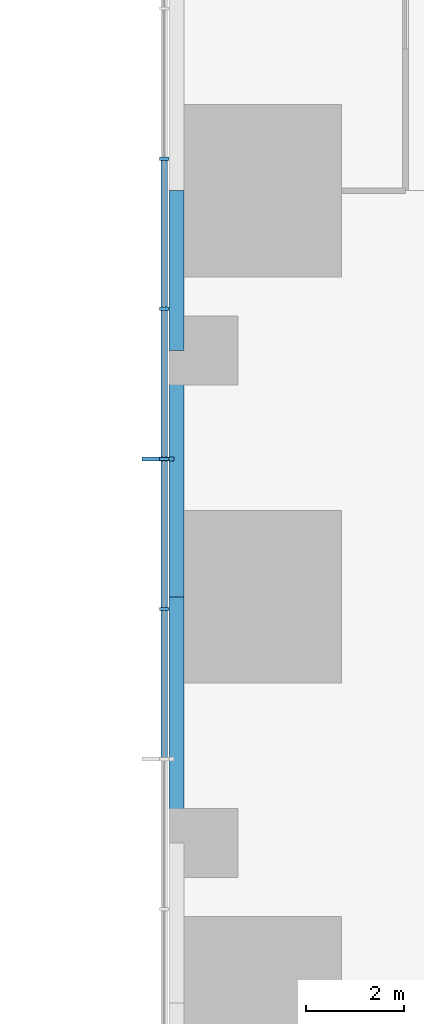
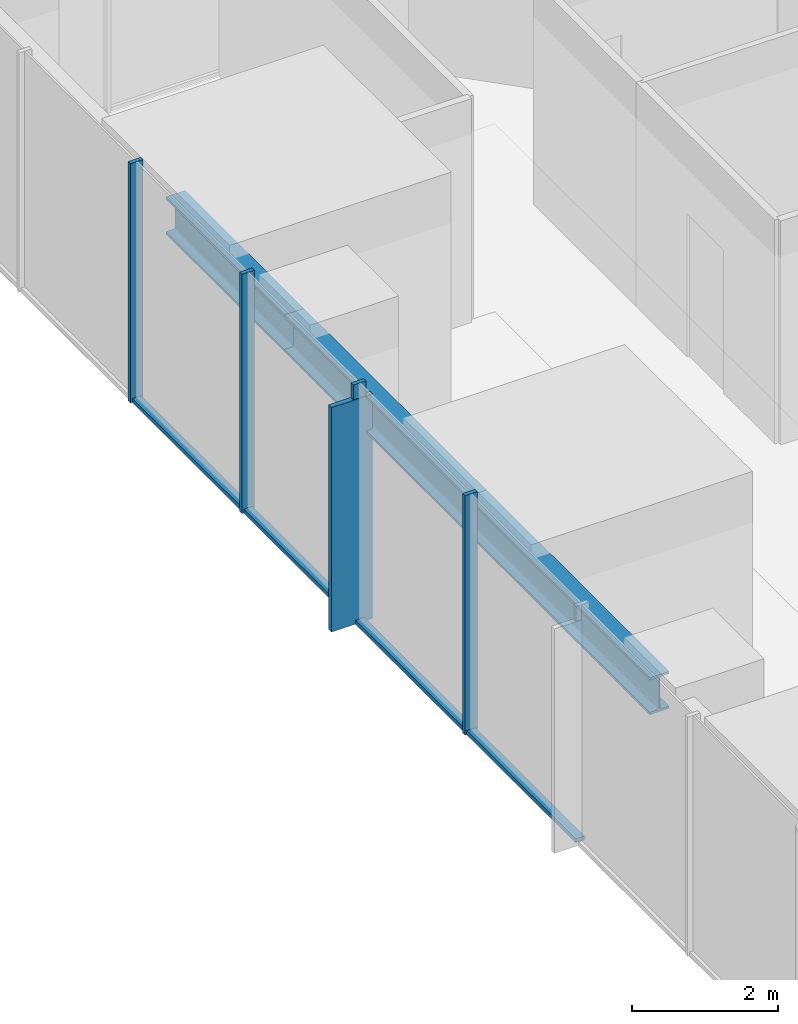
# One storey, part 3 of 17: 9 members, 3 beams, 1 element without a shape of its own.
"""IFC4 building model written with IfcOpenShell, lengths in metres."""

from ifc_helpers import new_model, si_unit, direction, frame, origin, origin_2d, place, context, subcontext, project, spatial, rectangle, i_section, extrude, material, material_profile, profile_set, type_object, element, aggregate, save


model = new_model("IFC4")

# Units and contexts
model_context = context("Model", 3, precision=1e-05, world=origin(), true_north=direction((0.0, 1.0)))
body_context = subcontext(model_context, "Body", "Model", "MODEL_VIEW")
ifc_project = project(units=[si_unit("LENGTHUNIT", "METRE"), si_unit("AREAUNIT", "SQUARE_METRE"), si_unit("VOLUMEUNIT", "CUBIC_METRE"), si_unit("PLANEANGLEUNIT", "RADIAN"), si_unit("MASSUNIT", "GRAM", prefix="KILO")], contexts=[model_context])

# Site, building, storey
site_placement = place(None, origin())
site = spatial("IfcSite", under=ifc_project, at=site_placement, CompositionType="ELEMENT")
building_placement = place(site_placement, origin())
building = spatial("IfcBuilding", under=site, at=building_placement, Name="Svetlomir Tower", CompositionType="ELEMENT")
storey_placement = place(building_placement, frame((0.0, 0.0, 70.5)))
storey = spatial("IfcBuildingStorey", under=building, at=storey_placement, Name="L16", CompositionType="ELEMENT", Elevation=70.5)

# Curtain wall, members
ifc_material_1 = material(Name="Bronze anodised aluminium curtain wall", Category="aluminium")
curtain_wall_type = type_object("IfcCurtainWallType", Name="CURTAIN WALL CW1 TOWER OFFICE", PredefinedType="NOTDEFINED", material=ifc_material_1)
curtain_wall_placement = place(storey_placement, origin())
curtain_wall = element("IfcCurtainWall", 1, at=curtain_wall_placement, inside=storey, type_object=curtain_wall_type, Name="Curtain wall CW1 L16", PredefinedType="NOTDEFINED")
ifc_material_2 = material(Name="Bronze anodised aluminium", Category="aluminium")
ifc_material_profile_1 = material_profile(ifc_material_2, rectangle(XDim=0.080078125, YDim=0.64990234375, at=origin_2d()), Name="FIN 80x650")
ifc_profile_set_1 = profile_set([ifc_material_profile_1], Name="Bronze anodised aluminium 6063-T6")
member_type_1 = type_object("IfcMemberType", Name="BRONZE FIN 80x650", PredefinedType="USERDEFINED", material=ifc_profile_set_1)
member_1_placement = place(storey_placement, frame((-0.22509765625, 23.800048828125, 0.0), z_axis=(0.0, 0.0, 1.0), x_axis=(0.0, 1.0, 0.0)))
member_1 = element("IfcMember", 2, at=member_1_placement, type_object=member_type_1, Name="Bronze fin L16", ObjectType="FIN", PredefinedType="USERDEFINED", context=body_context, shape_type="SweptSolid", body=[
    extrude(rectangle(XDim=0.080078125, YDim=0.64990234375, at=origin_2d()), origin(), (0.0, 0.0, 1.0), 3.75),
])
ifc_material_3 = material(Name="Bronze anodised aluminium", Category="aluminium")
ifc_material_profile_2 = material_profile(ifc_material_3, rectangle(XDim=0.06494140625, YDim=0.199951171875, at=origin_2d()), Name="AL 65x200")
ifc_profile_set_2 = profile_set([ifc_material_profile_2], Name="Bronze anodised aluminium 6063-T6")
member_type_2 = type_object("IfcMemberType", Name="CW1 MULLION 65x200", PredefinedType="MULLION", material=ifc_profile_set_2)
member_2_placement = place(storey_placement, frame((-0.10009765625, 29.89990234375, 0.0), z_axis=(0.0, 0.0, 1.0), x_axis=(0.0, -1.0, 0.0)))
member_2 = element("IfcMember", 3, at=member_2_placement, type_object=member_type_2, Name="CW1 mullion 3", PredefinedType="MULLION", context=body_context, shape_type="SweptSolid", body=[
    extrude(rectangle(XDim=0.06494140625, YDim=0.199951171875, at=origin_2d()), origin(), (0.0, 0.0, 1.0), 4.0),
])
member_3_placement = place(storey_placement, frame((-0.10009765625, 26.85009765625, 0.0), z_axis=(0.0, 0.0, 1.0), x_axis=(0.0, -1.0, 0.0)))
member_3 = element("IfcMember", 4, at=member_3_placement, type_object=member_type_2, Name="CW1 mullion 4", PredefinedType="MULLION", context=body_context, shape_type="SweptSolid", body=[
    extrude(rectangle(XDim=0.06494140625, YDim=0.199951171875, at=origin_2d()), origin(), (0.0, 0.0, 1.0), 4.0),
])
member_4_placement = place(storey_placement, frame((-0.10009765625, 23.800048828125, 0.0), z_axis=(0.0, 0.0, 1.0), x_axis=(0.0, -1.0, 0.0)))
member_4 = element("IfcMember", 5, at=member_4_placement, type_object=member_type_2, Name="CW1 mullion 5", PredefinedType="MULLION", context=body_context, shape_type="SweptSolid", body=[
    extrude(rectangle(XDim=0.06494140625, YDim=0.199951171875, at=origin_2d()), origin(), (0.0, 0.0, 1.0), 4.0),
])
member_5_placement = place(storey_placement, frame((-0.10009765625, 20.75, 0.0), z_axis=(0.0, 0.0, 1.0), x_axis=(0.0, -1.0, 0.0)))
member_5 = element("IfcMember", 6, at=member_5_placement, type_object=member_type_2, Name="CW1 mullion 6", PredefinedType="MULLION", context=body_context, shape_type="SweptSolid", body=[
    extrude(rectangle(XDim=0.06494140625, YDim=0.199951171875, at=origin_2d()), origin(), (0.0, 0.0, 1.0), 4.0),
])
ifc_material_4 = material(Name="Bronze anodised aluminium", Category="aluminium")
ifc_material_profile_3 = material_profile(ifc_material_4, rectangle(XDim=0.139892578125, YDim=0.06494140625, at=origin_2d()), Name="AL 140x65")
ifc_profile_set_3 = profile_set([ifc_material_profile_3], Name="Bronze anodised aluminium 6063-T6")
member_type_3 = type_object("IfcMemberType", Name="CW1 TRANSOM 65x140", PredefinedType="USERDEFINED", material=ifc_profile_set_3)
member_6_placement = place(storey_placement, frame((-0.10009765625, 29.867431640625, 0.032470703125), z_axis=(0.0, -1.0, 0.0), x_axis=(1.0, 0.0, 0.0)))
member_6 = element("IfcMember", 7, at=member_6_placement, type_object=member_type_3, Name="CW1 transom 3.1", ObjectType="TRANSOM", PredefinedType="USERDEFINED", context=body_context, shape_type="SweptSolid", body=[
    extrude(rectangle(XDim=0.139892578125, YDim=0.06494140625, at=origin_2d()), origin(), (0.0, 0.0, 1.0), 2.98486328125),
])
member_7_placement = place(storey_placement, frame((-0.10009765625, 26.8173828125, 0.032470703125), z_axis=(0.0, -1.0, 0.0), x_axis=(1.0, 0.0, 0.0)))
member_7 = element("IfcMember", 8, at=member_7_placement, type_object=member_type_3, Name="CW1 transom 4.1", ObjectType="TRANSOM", PredefinedType="USERDEFINED", context=body_context, shape_type="SweptSolid", body=[
    extrude(rectangle(XDim=0.139892578125, YDim=0.06494140625, at=origin_2d()), origin(), (0.0, 0.0, 1.0), 2.98486328125),
])
member_8_placement = place(storey_placement, frame((-0.10009765625, 23.767578125, 0.032470703125), z_axis=(0.0, -1.0, 0.0), x_axis=(1.0, 0.0, 0.0)))
member_8 = element("IfcMember", 9, at=member_8_placement, type_object=member_type_3, Name="CW1 transom 5.1", ObjectType="TRANSOM", PredefinedType="USERDEFINED", context=body_context, shape_type="SweptSolid", body=[
    extrude(rectangle(XDim=0.139892578125, YDim=0.06494140625, at=origin_2d()), origin(), (0.0, 0.0, 1.0), 2.985107421875),
])
member_9_placement = place(storey_placement, frame((-0.10009765625, 20.717529296875, 0.032470703125), z_axis=(0.0, -1.0, 0.0), x_axis=(1.0, 0.0, 0.0)))
member_9 = element("IfcMember", 10, at=member_9_placement, type_object=member_type_3, Name="CW1 transom 6.1", ObjectType="TRANSOM", PredefinedType="USERDEFINED", context=body_context, shape_type="SweptSolid", body=[
    extrude(rectangle(XDim=0.139892578125, YDim=0.06494140625, at=origin_2d()), origin(), (0.0, 0.0, 1.0), 2.985107421875),
])
aggregate(curtain_wall, [member_2, member_3, member_4, member_5, member_6, member_7, member_8, member_9, member_1])

# Beams
ifc_material_5 = material(Name="Steel S355", Category="steel")
ifc_material_profile_4 = material_profile(ifc_material_5, i_section(OverallWidth=0.304931640625, OverallDepth=0.6201171875, WebThickness=0.02099609375, FlangeThickness=0.0400390625, FilletRadius=0.027099609375, at=origin_2d()), Name="HEM 600")
ifc_profile_set_4 = profile_set([ifc_material_profile_4], Name="Steel S355")
beam_type = type_object("IfcBeamType", Name="EDGE BEAM HEM 600", PredefinedType="SPANDREL", material=ifc_profile_set_4)
for number, where, z_axis, x_axis, name in (
    (11, (0.152587890625, 16.0, 3.43994140625), (0.0, 1.0, 0.0), (-1.0, 0.0, 0.0), "Edge beam 0/16 to 0/21 under L17"),
    (12, (0.152587890625, 21.0, 3.43994140625), (0.0, 1.0, 0.0), (-1.0, 0.0, 0.0), "Edge beam 0/21 to 0/26 under L17"),
):
    element("IfcBeam", number, at=place(storey_placement, frame(where, z_axis=z_axis, x_axis=x_axis)), inside=storey, type_object=beam_type, Name=name, PredefinedType="SPANDREL", context=body_context, shape_type="SweptSolid", body=[
        extrude(i_section(OverallWidth=0.304931640625, OverallDepth=0.6201171875, WebThickness=0.02099609375, FlangeThickness=0.0400390625, FilletRadius=0.027099609375, at=origin_2d()), origin(), (0.0, 0.0, 1.0), 5.0),
    ])
beam_placement = place(storey_placement, frame((0.152587890625, 26.0, 3.43994140625), z_axis=(0.0, 1.0, 0.0), x_axis=(-1.0, 0.0, 0.0)))
element("IfcBeam", 13, at=beam_placement, inside=storey, type_object=beam_type, Name="Edge beam 0/26 to 0/31 under L17", PredefinedType="SPANDREL", context=body_context, shape_type="SweptSolid", body=[
    extrude(i_section(OverallWidth=0.304931640625, OverallDepth=0.6201171875, WebThickness=0.02099609375, FlangeThickness=0.0400390625, FilletRadius=0.027099609375, at=origin_2d()), origin(), (0.0, 0.0, 1.0), 3.25),
])

save(model, "model.ifc")
